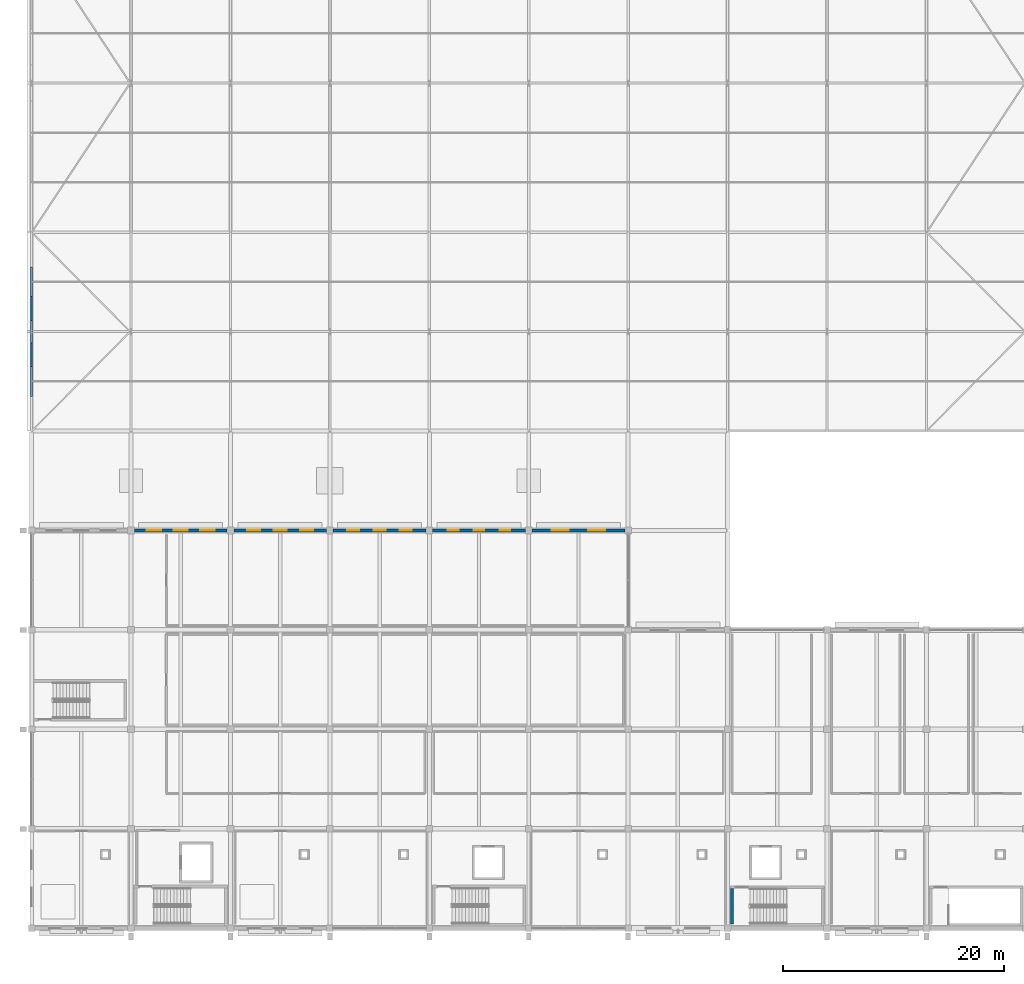
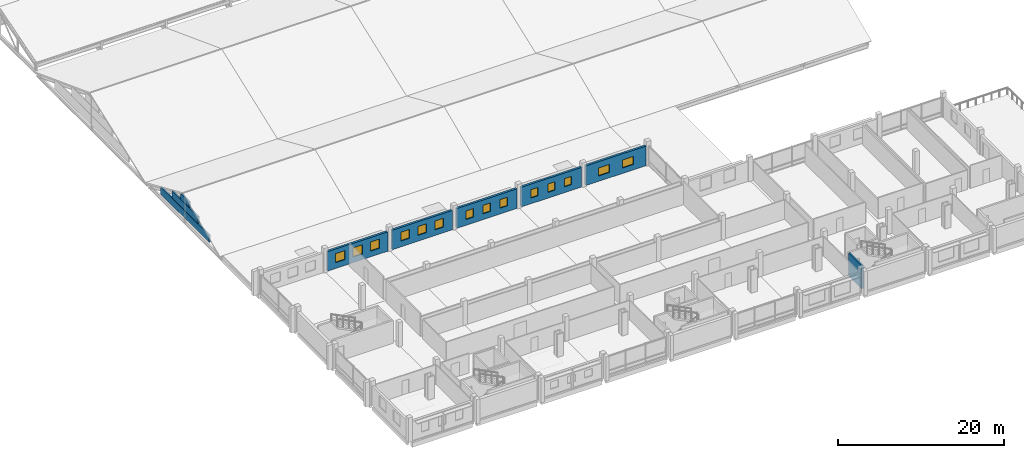
# One storey, part 150 of 163: 14 windows, 9 walls, 14 openings.
"""IFC4 building model written with IfcOpenShell, lengths in metres."""

from ifc_helpers import new_model, si_unit, direction, frame, frame_2d, origin, place, context, subcontext, project, spatial, rectangle, extrude, material, layer, layer_set, type_object, element, fill, save


model = new_model("IFC4")

# Units and contexts
model_context = context("Model", 3, precision=1e-05, world=origin(), true_north=direction((0.0, 1.0)))
body_context = subcontext(model_context, "Body", "Model", "MODEL_VIEW")
ifc_project = project(units=[si_unit("LENGTHUNIT", "METRE"), si_unit("AREAUNIT", "SQUARE_METRE"), si_unit("VOLUMEUNIT", "CUBIC_METRE"), si_unit("PLANEANGLEUNIT", "RADIAN"), si_unit("MASSUNIT", "GRAM", prefix="KILO")], contexts=[model_context])

# Site, building, storey
site_placement = place(None, origin())
site = spatial("IfcSite", under=ifc_project, at=site_placement, CompositionType="ELEMENT")
building_placement = place(site_placement, origin())
building = spatial("IfcBuilding", under=site, at=building_placement, Name="Tharagai Park Tramway Depot", CompositionType="ELEMENT")
storey_placement = place(building_placement, frame((0.0, 0.0, 8.39990234375)))
storey = spatial("IfcBuildingStorey", under=building, at=storey_placement, Name="L02", CompositionType="ELEMENT", Elevation=8.39990234375)

# Wall, openings, windows
ifc_material_1 = material(Name="Pressed clay brick", Category="masonry")
ifc_layer_1 = layer(ifc_material_1, 0.300048828125)
ifc_layer_set_1 = layer_set([ifc_layer_1], Name="Pressed clay brick")
wall_type_1 = type_object("IfcWallType", Name="EW-08", PredefinedType="SOLIDWALL", material=ifc_layer_set_1)
wall_1_placement = place(storey_placement, frame((9.298095703125, 36.0, 0.0), z_axis=(0.0, 0.0, 1.0), x_axis=(1.0, 0.0, 0.0)))
wall_1 = element("IfcWall", 1, at=wall_1_placement, inside=storey, type_object=wall_type_1, Name="L02 V4 Exterior Masonry Wall EW-08", PredefinedType="SOLIDWALL", context=body_context, shape_type="SweptSolid", body=[
    extrude(rectangle(XDim=8.40380859375, YDim=0.300048828125, at=frame_2d((4.201904296875, 0.0))), origin(), (0.0, 0.0, 1.0), 2.862060546875),
])
opening_1_placement = place(wall_1_placement, frame((1.14111328125, 0.0, 0.85009765625)))
opening_1 = element("IfcOpeningElement", 2, at=opening_1_placement, cuts=wall_1, Name="Opening WN-43", PredefinedType="OPENING", context=body_context, shape_type="SweptSolid", body=[
    extrude(rectangle(XDim=1.280029296875, YDim=1.340087890625, at=frame_2d((0.64013671875, 0.669921875))), frame((0.0, 0.159912109375, 0.0), z_axis=(0.0, -1.0, 0.0), x_axis=(1.0, 0.0, 0.0)), (0.0, 0.0, 1.0), 0.320068359375),
])
opening_2_placement = place(wall_1_placement, frame((3.56201171875, 0.0, 0.85009765625)))
opening_2 = element("IfcOpeningElement", 3, at=opening_2_placement, cuts=wall_1, Name="Opening WN-43", PredefinedType="OPENING", context=body_context, shape_type="SweptSolid", body=[
    extrude(rectangle(XDim=1.280029296875, YDim=1.340087890625, at=frame_2d((0.64013671875, 0.669921875))), frame((0.0, 0.159912109375, 0.0), z_axis=(0.0, -1.0, 0.0), x_axis=(1.0, 0.0, 0.0)), (0.0, 0.0, 1.0), 0.320068359375),
])
opening_3_placement = place(wall_1_placement, frame((5.98291015625, 0.0, 0.85009765625)))
opening_3 = element("IfcOpeningElement", 4, at=opening_3_placement, cuts=wall_1, Name="Opening WN-43", PredefinedType="OPENING", context=body_context, shape_type="SweptSolid", body=[
    extrude(rectangle(XDim=1.280029296875, YDim=1.340087890625, at=frame_2d((0.64013671875, 0.669921875))), frame((0.0, 0.159912109375, 0.0), z_axis=(0.0, -1.0, 0.0), x_axis=(1.0, 0.0, 0.0)), (0.0, 0.0, 1.0), 0.320068359375),
])
ifc_material_2 = material(Name="Laminated solar-control glass", Category="glass")
window_type_1 = type_object("IfcWindowType", Name="WN-43", PartitioningType="SINGLE_PANEL", PredefinedType="WINDOW", material=ifc_material_2)
window_1_placement = place(opening_1_placement, origin())
window_1 = element("IfcWindow", 5, at=window_1_placement, inside=storey, type_object=window_type_1, Name="L02 V4 Gothic Lancet Window WN-43", OverallHeight=1.340087890625, OverallWidth=1.280029296875, PartitioningType="SINGLE_PANEL", PredefinedType="WINDOW", context=body_context, shape_type="SweptSolid", body=[
    extrude(rectangle(XDim=1.280029296875, YDim=1.340087890625, at=frame_2d((0.64013671875, 0.669921875))), frame((0.0, 0.030029296875, 0.0), z_axis=(0.0, -1.0, 0.0), x_axis=(1.0, 0.0, 0.0)), (0.0, 0.0, 1.0), 0.06005859375),
])
fill(opening_1, window_1)
window_2_placement = place(opening_2_placement, origin())
window_2 = element("IfcWindow", 6, at=window_2_placement, inside=storey, type_object=window_type_1, Name="L02 V4 Gothic Lancet Window WN-43", OverallHeight=1.340087890625, OverallWidth=1.280029296875, PartitioningType="SINGLE_PANEL", PredefinedType="WINDOW", context=body_context, shape_type="SweptSolid", body=[
    extrude(rectangle(XDim=1.280029296875, YDim=1.340087890625, at=frame_2d((0.64013671875, 0.669921875))), frame((0.0, 0.030029296875, 0.0), z_axis=(0.0, -1.0, 0.0), x_axis=(1.0, 0.0, 0.0)), (0.0, 0.0, 1.0), 0.06005859375),
])
fill(opening_2, window_2)
window_3_placement = place(opening_3_placement, origin())
window_3 = element("IfcWindow", 7, at=window_3_placement, inside=storey, type_object=window_type_1, Name="L02 V4 Gothic Lancet Window WN-43", OverallHeight=1.340087890625, OverallWidth=1.280029296875, PartitioningType="SINGLE_PANEL", PredefinedType="WINDOW", context=body_context, shape_type="SweptSolid", body=[
    extrude(rectangle(XDim=1.280029296875, YDim=1.340087890625, at=frame_2d((0.64013671875, 0.669921875))), frame((0.0, 0.030029296875, 0.0), z_axis=(0.0, -1.0, 0.0), x_axis=(1.0, 0.0, 0.0)), (0.0, 0.0, 1.0), 0.06005859375),
])
fill(opening_3, window_3)

wall_2_placement = place(storey_placement, frame((18.298095703125, 36.0, 0.0), z_axis=(0.0, 0.0, 1.0), x_axis=(1.0, 0.0, 0.0)))
wall_2 = element("IfcWall", 8, at=wall_2_placement, inside=storey, type_object=wall_type_1, Name="L02 V4 Exterior Masonry Wall EW-08", PredefinedType="SOLIDWALL", context=body_context, shape_type="SweptSolid", body=[
    extrude(rectangle(XDim=8.40380859375, YDim=0.300048828125, at=frame_2d((4.201904296875, 0.0))), origin(), (0.0, 0.0, 1.0), 2.862060546875),
])
opening_4_placement = place(wall_2_placement, frame((1.216064453125, 0.0, 0.85009765625)))
opening_4 = element("IfcOpeningElement", 9, at=opening_4_placement, cuts=wall_2, Name="Opening WN-44", PredefinedType="OPENING", context=body_context, shape_type="SweptSolid", body=[
    extrude(rectangle(XDim=1.179931640625, YDim=1.300048828125, at=frame_2d((0.58984375, 0.64990234375))), frame((0.0, 0.159912109375, 0.0), z_axis=(0.0, -1.0, 0.0), x_axis=(1.0, 0.0, 0.0)), (0.0, 0.0, 1.0), 0.320068359375),
])
opening_5_placement = place(wall_2_placement, frame((3.612060546875, 0.0, 0.85009765625)))
opening_5 = element("IfcOpeningElement", 10, at=opening_5_placement, cuts=wall_2, Name="Opening WN-44", PredefinedType="OPENING", context=body_context, shape_type="SweptSolid", body=[
    extrude(rectangle(XDim=1.179931640625, YDim=1.300048828125, at=frame_2d((0.58984375, 0.64990234375))), frame((0.0, 0.159912109375, 0.0), z_axis=(0.0, -1.0, 0.0), x_axis=(1.0, 0.0, 0.0)), (0.0, 0.0, 1.0), 0.320068359375),
])
opening_6_placement = place(wall_2_placement, frame((6.008056640625, 0.0, 0.85009765625)))
opening_6 = element("IfcOpeningElement", 11, at=opening_6_placement, cuts=wall_2, Name="Opening WN-44", PredefinedType="OPENING", context=body_context, shape_type="SweptSolid", body=[
    extrude(rectangle(XDim=1.179931640625, YDim=1.300048828125, at=frame_2d((0.58984375, 0.64990234375))), frame((0.0, 0.159912109375, 0.0), z_axis=(0.0, -1.0, 0.0), x_axis=(1.0, 0.0, 0.0)), (0.0, 0.0, 1.0), 0.320068359375),
])
window_type_2 = type_object("IfcWindowType", Name="WN-44", PartitioningType="SINGLE_PANEL", PredefinedType="WINDOW", material=ifc_material_2)
window_4_placement = place(opening_4_placement, origin())
window_4 = element("IfcWindow", 12, at=window_4_placement, inside=storey, type_object=window_type_2, Name="L02 V4 Gothic Lancet Window WN-44", OverallHeight=1.300048828125, OverallWidth=1.179931640625, PartitioningType="SINGLE_PANEL", PredefinedType="WINDOW", context=body_context, shape_type="SweptSolid", body=[
    extrude(rectangle(XDim=1.179931640625, YDim=1.300048828125, at=frame_2d((0.58984375, 0.64990234375))), frame((0.0, 0.030029296875, 0.0), z_axis=(0.0, -1.0, 0.0), x_axis=(1.0, 0.0, 0.0)), (0.0, 0.0, 1.0), 0.06005859375),
])
fill(opening_4, window_4)
window_5_placement = place(opening_5_placement, origin())
window_5 = element("IfcWindow", 13, at=window_5_placement, inside=storey, type_object=window_type_2, Name="L02 V4 Gothic Lancet Window WN-44", OverallHeight=1.300048828125, OverallWidth=1.179931640625, PartitioningType="SINGLE_PANEL", PredefinedType="WINDOW", context=body_context, shape_type="SweptSolid", body=[
    extrude(rectangle(XDim=1.179931640625, YDim=1.300048828125, at=frame_2d((0.58984375, 0.64990234375))), frame((0.0, 0.030029296875, 0.0), z_axis=(0.0, -1.0, 0.0), x_axis=(1.0, 0.0, 0.0)), (0.0, 0.0, 1.0), 0.06005859375),
])
fill(opening_5, window_5)
window_6_placement = place(opening_6_placement, origin())
window_6 = element("IfcWindow", 14, at=window_6_placement, inside=storey, type_object=window_type_2, Name="L02 V4 Gothic Lancet Window WN-44", OverallHeight=1.300048828125, OverallWidth=1.179931640625, PartitioningType="SINGLE_PANEL", PredefinedType="WINDOW", context=body_context, shape_type="SweptSolid", body=[
    extrude(rectangle(XDim=1.179931640625, YDim=1.300048828125, at=frame_2d((0.58984375, 0.64990234375))), frame((0.0, 0.030029296875, 0.0), z_axis=(0.0, -1.0, 0.0), x_axis=(1.0, 0.0, 0.0)), (0.0, 0.0, 1.0), 0.06005859375),
])
fill(opening_6, window_6)

wall_3_placement = place(storey_placement, frame((27.298095703125, 36.0, 0.0), z_axis=(0.0, 0.0, 1.0), x_axis=(1.0, 0.0, 0.0)))
wall_3 = element("IfcWall", 15, at=wall_3_placement, inside=storey, type_object=wall_type_1, Name="L02 V4 Exterior Masonry Wall EW-08", PredefinedType="SOLIDWALL", context=body_context, shape_type="SweptSolid", body=[
    extrude(rectangle(XDim=8.40380859375, YDim=0.300048828125, at=frame_2d((4.201904296875, 0.0))), origin(), (0.0, 0.0, 1.0), 2.902099609375),
])
opening_7_placement = place(wall_3_placement, frame((1.291015625, 0.0, 0.85009765625)))
opening_7 = element("IfcOpeningElement", 16, at=opening_7_placement, cuts=wall_3, Name="Opening WN-48", PredefinedType="OPENING", context=body_context, shape_type="SweptSolid", body=[
    extrude(rectangle(XDim=1.080078125, YDim=1.260009765625, at=frame_2d((0.5400390625, 0.6298828125))), frame((0.0, 0.159912109375, 0.0), z_axis=(0.0, -1.0, 0.0), x_axis=(1.0, 0.0, 0.0)), (0.0, 0.0, 1.0), 0.320068359375),
])
opening_8_placement = place(wall_3_placement, frame((3.662109375, 0.0, 0.85009765625)))
opening_8 = element("IfcOpeningElement", 17, at=opening_8_placement, cuts=wall_3, Name="Opening WN-48", PredefinedType="OPENING", context=body_context, shape_type="SweptSolid", body=[
    extrude(rectangle(XDim=1.080078125, YDim=1.260009765625, at=frame_2d((0.5400390625, 0.6298828125))), frame((0.0, 0.159912109375, 0.0), z_axis=(0.0, -1.0, 0.0), x_axis=(1.0, 0.0, 0.0)), (0.0, 0.0, 1.0), 0.320068359375),
])
opening_9_placement = place(wall_3_placement, frame((6.032958984375, 0.0, 0.85009765625)))
opening_9 = element("IfcOpeningElement", 18, at=opening_9_placement, cuts=wall_3, Name="Opening WN-48", PredefinedType="OPENING", context=body_context, shape_type="SweptSolid", body=[
    extrude(rectangle(XDim=1.080078125, YDim=1.260009765625, at=frame_2d((0.5400390625, 0.6298828125))), frame((0.0, 0.159912109375, 0.0), z_axis=(0.0, -1.0, 0.0), x_axis=(1.0, 0.0, 0.0)), (0.0, 0.0, 1.0), 0.320068359375),
])
window_type_3 = type_object("IfcWindowType", Name="WN-48", PartitioningType="SINGLE_PANEL", PredefinedType="WINDOW", material=ifc_material_2)
window_7_placement = place(opening_7_placement, origin())
window_7 = element("IfcWindow", 19, at=window_7_placement, inside=storey, type_object=window_type_3, Name="L02 V4 Gothic Lancet Window WN-48", OverallHeight=1.260009765625, OverallWidth=1.080078125, PartitioningType="SINGLE_PANEL", PredefinedType="WINDOW", context=body_context, shape_type="SweptSolid", body=[
    extrude(rectangle(XDim=1.080078125, YDim=1.260009765625, at=frame_2d((0.5400390625, 0.6298828125))), frame((0.0, 0.030029296875, 0.0), z_axis=(0.0, -1.0, 0.0), x_axis=(1.0, 0.0, 0.0)), (0.0, 0.0, 1.0), 0.06005859375),
])
fill(opening_7, window_7)
window_8_placement = place(opening_8_placement, origin())
window_8 = element("IfcWindow", 20, at=window_8_placement, inside=storey, type_object=window_type_3, Name="L02 V4 Gothic Lancet Window WN-48", OverallHeight=1.260009765625, OverallWidth=1.080078125, PartitioningType="SINGLE_PANEL", PredefinedType="WINDOW", context=body_context, shape_type="SweptSolid", body=[
    extrude(rectangle(XDim=1.080078125, YDim=1.260009765625, at=frame_2d((0.5400390625, 0.6298828125))), frame((0.0, 0.030029296875, 0.0), z_axis=(0.0, -1.0, 0.0), x_axis=(1.0, 0.0, 0.0)), (0.0, 0.0, 1.0), 0.06005859375),
])
fill(opening_8, window_8)
window_9_placement = place(opening_9_placement, origin())
window_9 = element("IfcWindow", 21, at=window_9_placement, inside=storey, type_object=window_type_3, Name="L02 V4 Gothic Lancet Window WN-48", OverallHeight=1.260009765625, OverallWidth=1.080078125, PartitioningType="SINGLE_PANEL", PredefinedType="WINDOW", context=body_context, shape_type="SweptSolid", body=[
    extrude(rectangle(XDim=1.080078125, YDim=1.260009765625, at=frame_2d((0.5400390625, 0.6298828125))), frame((0.0, 0.030029296875, 0.0), z_axis=(0.0, -1.0, 0.0), x_axis=(1.0, 0.0, 0.0)), (0.0, 0.0, 1.0), 0.06005859375),
])
fill(opening_9, window_9)

wall_4_placement = place(storey_placement, frame((36.298095703125, 36.0, 0.0), z_axis=(0.0, 0.0, 1.0), x_axis=(1.0, 0.0, 0.0)))
wall_4 = element("IfcWall", 22, at=wall_4_placement, inside=storey, type_object=wall_type_1, Name="L02 V4 Exterior Masonry Wall EW-08", PredefinedType="SOLIDWALL", context=body_context, shape_type="SweptSolid", body=[
    extrude(rectangle(XDim=8.40380859375, YDim=0.300048828125, at=frame_2d((4.201904296875, 0.0))), origin(), (0.0, 0.0, 1.0), 2.902099609375),
])
opening_10_placement = place(wall_4_placement, frame((1.365966796875, 0.0, 0.85009765625)))
opening_10 = element("IfcOpeningElement", 23, at=opening_10_placement, cuts=wall_4, Name="Opening WN-01", PredefinedType="OPENING", context=body_context, shape_type="SweptSolid", body=[
    extrude(rectangle(XDim=0.97998046875, YDim=1.219970703125, at=frame_2d((0.489990234375, 0.60986328125))), frame((0.0, 0.159912109375, 0.0), z_axis=(0.0, -1.0, 0.0), x_axis=(1.0, 0.0, 0.0)), (0.0, 0.0, 1.0), 0.320068359375),
])
opening_11_placement = place(wall_4_placement, frame((3.7119140625, 0.0, 0.85009765625)))
opening_11 = element("IfcOpeningElement", 24, at=opening_11_placement, cuts=wall_4, Name="Opening WN-01", PredefinedType="OPENING", context=body_context, shape_type="SweptSolid", body=[
    extrude(rectangle(XDim=0.97998046875, YDim=1.219970703125, at=frame_2d((0.489990234375, 0.60986328125))), frame((0.0, 0.159912109375, 0.0), z_axis=(0.0, -1.0, 0.0), x_axis=(1.0, 0.0, 0.0)), (0.0, 0.0, 1.0), 0.320068359375),
])
opening_12_placement = place(wall_4_placement, frame((6.05810546875, 0.0, 0.85009765625)))
opening_12 = element("IfcOpeningElement", 25, at=opening_12_placement, cuts=wall_4, Name="Opening WN-01", PredefinedType="OPENING", context=body_context, shape_type="SweptSolid", body=[
    extrude(rectangle(XDim=0.97998046875, YDim=1.219970703125, at=frame_2d((0.489990234375, 0.60986328125))), frame((0.0, 0.159912109375, 0.0), z_axis=(0.0, -1.0, 0.0), x_axis=(1.0, 0.0, 0.0)), (0.0, 0.0, 1.0), 0.320068359375),
])
window_type_4 = type_object("IfcWindowType", Name="WN-01", PartitioningType="SINGLE_PANEL", PredefinedType="WINDOW", material=ifc_material_2)
window_10_placement = place(opening_10_placement, origin())
window_10 = element("IfcWindow", 26, at=window_10_placement, inside=storey, type_object=window_type_4, Name="L02 V4 Gothic Lancet Window WN-01", OverallHeight=1.219970703125, OverallWidth=0.97998046875, PartitioningType="SINGLE_PANEL", PredefinedType="WINDOW", context=body_context, shape_type="SweptSolid", body=[
    extrude(rectangle(XDim=0.97998046875, YDim=1.219970703125, at=frame_2d((0.489990234375, 0.60986328125))), frame((0.0, 0.030029296875, 0.0), z_axis=(0.0, -1.0, 0.0), x_axis=(1.0, 0.0, 0.0)), (0.0, 0.0, 1.0), 0.06005859375),
])
fill(opening_10, window_10)
window_11_placement = place(opening_11_placement, origin())
window_11 = element("IfcWindow", 27, at=window_11_placement, inside=storey, type_object=window_type_4, Name="L02 V4 Gothic Lancet Window WN-01", OverallHeight=1.219970703125, OverallWidth=0.97998046875, PartitioningType="SINGLE_PANEL", PredefinedType="WINDOW", context=body_context, shape_type="SweptSolid", body=[
    extrude(rectangle(XDim=0.97998046875, YDim=1.219970703125, at=frame_2d((0.489990234375, 0.60986328125))), frame((0.0, 0.030029296875, 0.0), z_axis=(0.0, -1.0, 0.0), x_axis=(1.0, 0.0, 0.0)), (0.0, 0.0, 1.0), 0.06005859375),
])
fill(opening_11, window_11)
window_12_placement = place(opening_12_placement, origin())
window_12 = element("IfcWindow", 28, at=window_12_placement, inside=storey, type_object=window_type_4, Name="L02 V4 Gothic Lancet Window WN-01", OverallHeight=1.219970703125, OverallWidth=0.97998046875, PartitioningType="SINGLE_PANEL", PredefinedType="WINDOW", context=body_context, shape_type="SweptSolid", body=[
    extrude(rectangle(XDim=0.97998046875, YDim=1.219970703125, at=frame_2d((0.489990234375, 0.60986328125))), frame((0.0, 0.030029296875, 0.0), z_axis=(0.0, -1.0, 0.0), x_axis=(1.0, 0.0, 0.0)), (0.0, 0.0, 1.0), 0.06005859375),
])
fill(opening_12, window_12)

wall_5_placement = place(storey_placement, frame((45.298095703125, 36.0, 0.0), z_axis=(0.0, 0.0, 1.0), x_axis=(1.0, 0.0, 0.0)))
wall_5 = element("IfcWall", 29, at=wall_5_placement, inside=storey, type_object=wall_type_1, Name="L02 V4 Exterior Masonry Wall EW-08", PredefinedType="SOLIDWALL", context=body_context, shape_type="SweptSolid", body=[
    extrude(rectangle(XDim=8.40380859375, YDim=0.300048828125, at=frame_2d((4.201904296875, 0.0))), origin(), (0.0, 0.0, 1.0), 2.902099609375),
])
opening_13_placement = place(wall_5_placement, frame((1.77490234375, 0.0, 0.800048828125)))
opening_13 = element("IfcOpeningElement", 30, at=opening_13_placement, cuts=wall_5, Name="Opening WN-07", PredefinedType="OPENING", context=body_context, shape_type="SweptSolid", body=[
    extrude(rectangle(XDim=1.5400390625, YDim=1.179931640625, at=frame_2d((0.77001953125, 0.58984375))), frame((0.0, 0.159912109375, 0.0), z_axis=(0.0, -1.0, 0.0), x_axis=(1.0, 0.0, 0.0)), (0.0, 0.0, 1.0), 0.320068359375),
])
opening_14_placement = place(wall_5_placement, frame((5.089111328125, 0.0, 0.800048828125)))
opening_14 = element("IfcOpeningElement", 31, at=opening_14_placement, cuts=wall_5, Name="Opening WN-07", PredefinedType="OPENING", context=body_context, shape_type="SweptSolid", body=[
    extrude(rectangle(XDim=1.5400390625, YDim=1.179931640625, at=frame_2d((0.77001953125, 0.58984375))), frame((0.0, 0.159912109375, 0.0), z_axis=(0.0, -1.0, 0.0), x_axis=(1.0, 0.0, 0.0)), (0.0, 0.0, 1.0), 0.320068359375),
])
window_type_5 = type_object("IfcWindowType", Name="WN-07", PartitioningType="SINGLE_PANEL", PredefinedType="WINDOW", material=ifc_material_2)
window_13_placement = place(opening_13_placement, origin())
window_13 = element("IfcWindow", 32, at=window_13_placement, inside=storey, type_object=window_type_5, Name="L02 V4 Gothic Lancet Window WN-07", OverallHeight=1.179931640625, OverallWidth=1.5400390625, PartitioningType="SINGLE_PANEL", PredefinedType="WINDOW", context=body_context, shape_type="SweptSolid", body=[
    extrude(rectangle(XDim=1.5400390625, YDim=1.179931640625, at=frame_2d((0.77001953125, 0.58984375))), frame((0.0, 0.030029296875, 0.0), z_axis=(0.0, -1.0, 0.0), x_axis=(1.0, 0.0, 0.0)), (0.0, 0.0, 1.0), 0.06005859375),
])
fill(opening_13, window_13)
window_14_placement = place(opening_14_placement, origin())
window_14 = element("IfcWindow", 33, at=window_14_placement, inside=storey, type_object=window_type_5, Name="L02 V4 Gothic Lancet Window WN-07", OverallHeight=1.179931640625, OverallWidth=1.5400390625, PartitioningType="SINGLE_PANEL", PredefinedType="WINDOW", context=body_context, shape_type="SweptSolid", body=[
    extrude(rectangle(XDim=1.5400390625, YDim=1.179931640625, at=frame_2d((0.77001953125, 0.58984375))), frame((0.0, 0.030029296875, 0.0), z_axis=(0.0, -1.0, 0.0), x_axis=(1.0, 0.0, 0.0)), (0.0, 0.0, 1.0), 0.06005859375),
])
fill(opening_14, window_14)

# Walls
ifc_material_3 = material(Name="Charnockite stone", Category="masonry")
ifc_layer_2 = layer(ifc_material_3, 0.199951171875)
ifc_layer_set_2 = layer_set([ifc_layer_2], Name="Charnockite stone")
wall_type_2 = type_object("IfcWallType", Name="PRW-01", PredefinedType="PARAPET", material=ifc_layer_set_2)
wall_6_placement = place(storey_placement, frame((0.0, 48.1298828125, 0.072021484375), z_axis=(0.0, 0.0, 1.0), x_axis=(0.0, 1.0, 0.0)))
element("IfcWall", 34, at=wall_6_placement, inside=storey, type_object=wall_type_2, Name="V2A Gothic Gable Tympanum Parapet Course 1", PredefinedType="PARAPET", context=body_context, shape_type="SweptSolid", body=[
    extrude(rectangle(XDim=11.740234375, YDim=0.199951171875, at=frame_2d((5.8701171875, 0.0))), origin(), (0.0, 0.0, 1.0), 1.083984375),
])
wall_7_placement = place(storey_placement, frame((0.0, 50.830078125, 1.192138671875), z_axis=(0.0, 0.0, 1.0), x_axis=(0.0, 1.0, 0.0)))
element("IfcWall", 35, at=wall_7_placement, inside=storey, type_object=wall_type_2, Name="V2A Gothic Gable Tympanum Parapet Course 2", PredefinedType="PARAPET", context=body_context, shape_type="SweptSolid", body=[
    extrude(rectangle(XDim=6.33984375, YDim=0.199951171875, at=frame_2d((3.169921875, 0.0))), origin(), (0.0, 0.0, 1.0), 1.0478515625),
])
wall_8_placement = place(storey_placement, frame((0.0, 52.989990234375, 2.276123046875), z_axis=(0.0, 0.0, 1.0), x_axis=(0.0, 1.0, 0.0)))
element("IfcWall", 36, at=wall_8_placement, inside=storey, type_object=wall_type_2, Name="V2A Gothic Gable Tympanum Parapet Course 3", PredefinedType="PARAPET", context=body_context, shape_type="SweptSolid", body=[
    extrude(rectangle(XDim=2.02001953125, YDim=0.199951171875, at=frame_2d((1.010009765625, 0.0))), origin(), (0.0, 0.0, 1.0), 0.8310546875),
])
ifc_material_4 = material(Name="Concrete M40", Category="concrete")
ifc_layer_3 = layer(ifc_material_4, 0.239990234375)
ifc_layer_set_3 = layer_set([ifc_layer_3], Name="Concrete M40")
wall_type_3 = type_object("IfcWallType", Name="SW-01", PredefinedType="SHEAR", material=ifc_layer_set_3)
wall_9_placement = place(storey_placement, frame((63.39990234375, 0.39990234375, 0.0), z_axis=(0.0, 0.0, 1.0), x_axis=(0.0, 1.0, 0.0)))
element("IfcWall", 37, at=wall_9_placement, inside=storey, type_object=wall_type_3, Name="Core C4 L02 Shear Wall West", PredefinedType="SHEAR", context=body_context, shape_type="SweptSolid", body=[
    extrude(rectangle(XDim=3.190185546875, YDim=0.239990234375, at=frame_2d((1.59521484375, 0.0))), origin(), (0.0, 0.0, 1.0), 3.35009765625),
])

save(model, "model.ifc")
